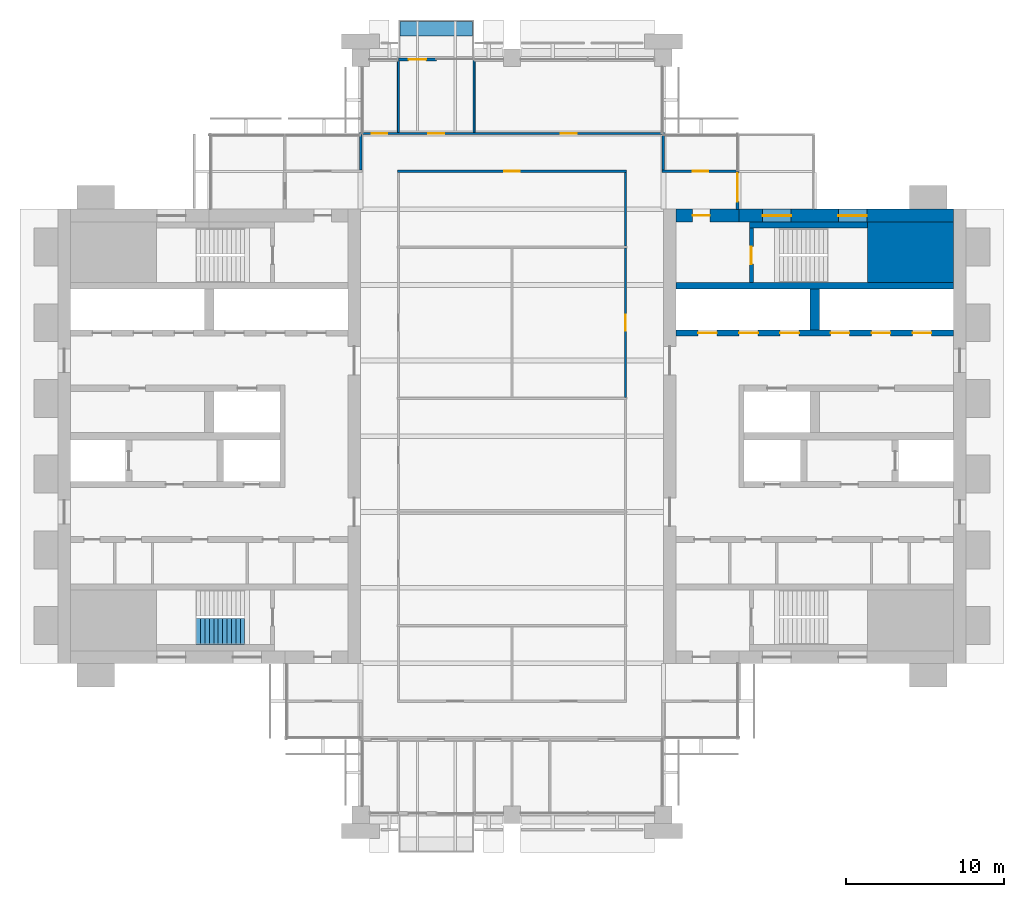
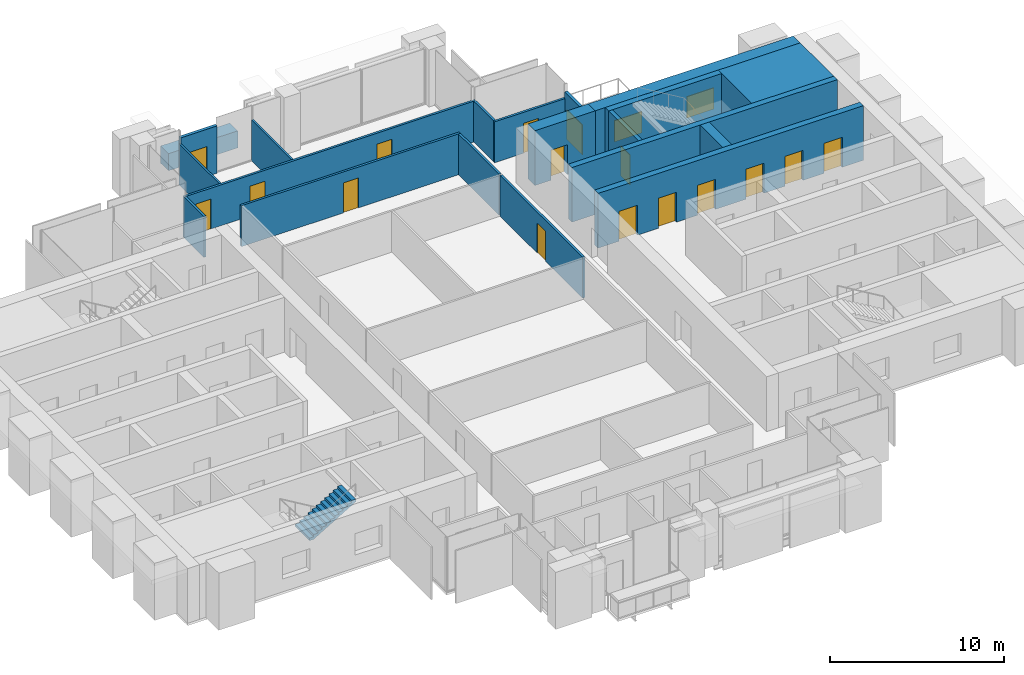
# One storey, part 11 of 14: 20 walls, 16 doors, 2 windows, 1 stair flight, 18 openings, 1 element without a shape of its own.
"""IFC4 building model written with IfcOpenShell, lengths in metres."""

from ifc_helpers import new_model, si_unit, direction, frame, frame_2d, origin, place, context, subcontext, project, spatial, polyline, rectangle, outline, extrude, material, layer, layer_set, type_object, element, fill, aggregate, save


model = new_model("IFC4")

# Units and contexts
model_context = context("Model", 3, precision=1e-05, world=origin(), true_north=direction((0.0, 1.0)))
body_context = subcontext(model_context, "Body", "Model", "MODEL_VIEW")
ifc_project = project(units=[si_unit("LENGTHUNIT", "METRE"), si_unit("AREAUNIT", "SQUARE_METRE"), si_unit("VOLUMEUNIT", "CUBIC_METRE"), si_unit("PLANEANGLEUNIT", "RADIAN"), si_unit("MASSUNIT", "GRAM", prefix="KILO")], contexts=[model_context])

# Site, building, storey
site_placement = place(None, origin())
site = spatial("IfcSite", under=ifc_project, at=site_placement, CompositionType="ELEMENT")
building_placement = place(site_placement, origin())
building = spatial("IfcBuilding", under=site, at=building_placement, Name="Baori Bourse Tower", CompositionType="ELEMENT")
storey_placement = place(building_placement, frame((0.0, 0.0, 257.199951171875)))
storey = spatial("IfcBuildingStorey", under=building, at=storey_placement, Name="L57", CompositionType="ELEMENT", Elevation=257.199951171875)

# Wall
ifc_material_1 = material(Name="Concrete f'c 50 MPa", Category="concrete")
wall_type_1 = type_object("IfcWallType", Name="Core corner block f'c 50", PredefinedType="SHEAR", material=ifc_material_1)
wall_1_placement = place(storey_placement, frame((51.35009765625, 35.675048828125, 0.0), z_axis=(0.0, 0.0, 1.0), x_axis=(1.0, 0.0, 0.0)))
element("IfcWall", 1, at=wall_1_placement, inside=storey, type_object=wall_type_1, Name="Core wall E24", PredefinedType="SHEAR", context=body_context, shape_type="SweptSolid", body=[
    extrude(rectangle(XDim=5.449951171875, YDim=3.85009765625, at=frame_2d((2.72509765625, 0.0))), origin(), (0.0, 0.0, 1.0), 3.840087890625),
])

# Wall, openings, windows
ifc_material_2 = material(Name="Concrete f'c 50 MPa", Category="concrete")
ifc_layer_1 = layer(ifc_material_2, 0.800048828125)
ifc_layer_set_1 = layer_set([ifc_layer_1], Name="Core wall 800 f'c 50")
wall_type_2 = type_object("IfcWallType", Name="Core wall 800 f'c 50", PredefinedType="SHEAR", material=ifc_layer_set_1)
wall_2_placement = place(storey_placement, frame((43.199951171875, 38.0, 0.0), z_axis=(0.0, 0.0, 1.0), x_axis=(1.0, 0.0, 0.0)))
wall_2 = element("IfcWall", 2, at=wall_2_placement, inside=storey, type_object=wall_type_2, Name="Core wall E27", PredefinedType="SHEAR", context=body_context, shape_type="SweptSolid", body=[
    extrude(rectangle(XDim=13.60009765625, YDim=0.800048828125, at=frame_2d((6.800048828125, 0.0))), origin(), (0.0, 0.0, 1.0), 3.840087890625),
])
opening_1_placement = place(wall_2_placement, frame((6.300048828125, 0.0, 0.89990234375)))
opening_1 = element("IfcOpeningElement", 3, at=opening_1_placement, cuts=wall_2, Name="Opening L57-KW205", PredefinedType="OPENING", context=body_context, shape_type="SweptSolid", body=[
    extrude(rectangle(XDim=1.800048828125, YDim=1.5, at=frame_2d((0.89990234375, 0.75))), frame((0.0, 0.409912109375, 0.0), z_axis=(0.0, -1.0, 0.0), x_axis=(1.0, 0.0, 0.0)), (0.0, 0.0, 1.0), 0.820068359375),
])
opening_2_placement = place(wall_2_placement, frame((1.5, 0.0, 0.89990234375)))
opening_2 = element("IfcOpeningElement", 4, at=opening_2_placement, cuts=wall_2, Name="Opening L57-KW206", PredefinedType="OPENING", context=body_context, shape_type="SweptSolid", body=[
    extrude(rectangle(XDim=1.800048828125, YDim=1.5, at=frame_2d((0.89990234375, 0.75))), frame((0.0, 0.409912109375, 0.0), z_axis=(0.0, -1.0, 0.0), x_axis=(1.0, 0.0, 0.0)), (0.0, 0.0, 1.0), 0.820068359375),
])
ifc_material_3 = material(Name="Pale anodised aluminium", Category="aluminium")
window_type = type_object("IfcWindowType", Name="Stair window 1800 x 1500", PartitioningType="SINGLE_PANEL", PredefinedType="WINDOW", material=ifc_material_3)
window_1_placement = place(opening_1_placement, origin())
window_1 = element("IfcWindow", 5, at=window_1_placement, inside=storey, type_object=window_type, Name="Stair window E L57 5", OverallHeight=1.5, OverallWidth=1.800048828125, PartitioningType="SINGLE_PANEL", PredefinedType="WINDOW", context=body_context, shape_type="SweptSolid", body=[
    extrude(rectangle(XDim=1.800048828125, YDim=1.5, at=frame_2d((0.89990234375, 0.75))), frame((0.0, 0.030029296875, 0.0), z_axis=(0.0, -1.0, 0.0), x_axis=(1.0, 0.0, 0.0)), (0.0, 0.0, 1.0), 0.06005859375),
])
fill(opening_1, window_1)
window_2_placement = place(opening_2_placement, origin())
window_2 = element("IfcWindow", 6, at=window_2_placement, inside=storey, type_object=window_type, Name="Stair window E L57 6", OverallHeight=1.5, OverallWidth=1.800048828125, PartitioningType="SINGLE_PANEL", PredefinedType="WINDOW", context=body_context, shape_type="SweptSolid", body=[
    extrude(rectangle(XDim=1.800048828125, YDim=1.5, at=frame_2d((0.89990234375, 0.75))), frame((0.0, 0.030029296875, 0.0), z_axis=(0.0, -1.0, 0.0), x_axis=(1.0, 0.0, 0.0)), (0.0, 0.0, 1.0), 0.06005859375),
])
fill(opening_2, window_2)

# Wall, opening, door
wall_3_placement = place(storey_placement, frame((39.199951171875, 38.0, 0.0), z_axis=(0.0, 0.0, 1.0), x_axis=(1.0, 0.0, 0.0)))
wall_3 = element("IfcWall", 7, at=wall_3_placement, inside=storey, type_object=wall_type_2, Name="Core wall E28", PredefinedType="SHEAR", context=body_context, shape_type="SweptSolid", body=[
    extrude(rectangle(XDim=4.0, YDim=0.800048828125, at=frame_2d((2.0, 0.0))), origin(), (0.0, 0.0, 1.0), 3.840087890625),
])
opening_3_placement = place(wall_3_placement, frame((1.050048828125, 0.0, 0.0)))
opening_3 = element("IfcOpeningElement", 8, at=opening_3_placement, cuts=wall_3, Name="Opening L57-D204", PredefinedType="OPENING", context=body_context, shape_type="SweptSolid", body=[
    extrude(rectangle(XDim=1.10009765625, YDim=2.10009765625, at=frame_2d((0.550048828125, 1.050048828125))), frame((0.0, 0.409912109375, 0.0), z_axis=(0.0, -1.0, 0.0), x_axis=(1.0, 0.0, 0.0)), (0.0, 0.0, 1.0), 0.820068359375),
])
ifc_material_4 = material(Name="Painted steel door", Category="steel")
door_type_1 = type_object("IfcDoorType", Name="Stair door 1100", OperationType="SINGLE_SWING_LEFT", PredefinedType="DOOR", material=ifc_material_4)
door_1_placement = place(opening_3_placement, origin())
door_1 = element("IfcDoor", 9, at=door_1_placement, inside=storey, type_object=door_type_1, Name="Stair vestibule door B E L57", OperationType="SINGLE_SWING_LEFT", OverallHeight=2.10009765625, OverallWidth=1.10009765625, PredefinedType="DOOR", context=body_context, shape_type="SweptSolid", body=[
    extrude(rectangle(XDim=1.10009765625, YDim=2.10009765625, at=frame_2d((0.550048828125, 1.050048828125))), frame((0.0, 0.02490234375, 0.0), z_axis=(0.0, -1.0, 0.0), x_axis=(1.0, 0.0, 0.0)), (0.0, 0.0, 1.0), 0.050048828125),
])
fill(opening_3, door_1)

ifc_material_5 = material(Name="Gypsum board partition")
ifc_layer_2 = layer(ifc_material_5, 0.14990234375)
ifc_layer_set_2 = layer_set([ifc_layer_2], Name="Corridor partition 150")
wall_type_3 = type_object("IfcWallType", Name="Corridor partition 150", PredefinedType="PARTITIONING", material=ifc_layer_set_2)
wall_4_placement = place(storey_placement, frame((21.52490234375, 40.800048828125, 0.0), z_axis=(0.0, 0.0, 1.0), x_axis=(1.0, 0.0, 0.0)))
wall_4 = element("IfcWall", 10, at=wall_4_placement, inside=storey, type_object=wall_type_3, Name="Partition", PredefinedType="PARTITIONING", context=body_context, shape_type="SweptSolid", body=[
    extrude(rectangle(XDim=14.550048828125, YDim=0.14990234375, at=frame_2d((7.27490234375, 0.0))), origin(), (0.0, 0.0, 1.0), 2.869873046875),
])
opening_4_placement = place(wall_4_placement, frame((6.77490234375, 0.0, 0.0)))
opening_4 = element("IfcOpeningElement", 11, at=opening_4_placement, cuts=wall_4, Name="Opening L57-D11", PredefinedType="OPENING", context=body_context, shape_type="SweptSolid", body=[
    extrude(rectangle(XDim=1.0, YDim=2.10009765625, at=frame_2d((0.5, 1.050048828125))), frame((0.0, 0.0849609375, 0.0), z_axis=(0.0, -1.0, 0.0), x_axis=(1.0, 0.0, 0.0)), (0.0, 0.0, 1.0), 0.169921875),
])
ifc_material_6 = material(Name="Timber door leaf", Category="wood")
door_type_2 = type_object("IfcDoorType", Name="Door 1000 x 2100", OperationType="SINGLE_SWING_LEFT", PredefinedType="DOOR", material=ifc_material_6)
door_2_placement = place(opening_4_placement, origin())
door_2 = element("IfcDoor", 12, at=door_2_placement, inside=storey, type_object=door_type_2, Name="Door", OperationType="SINGLE_SWING_LEFT", OverallHeight=2.10009765625, OverallWidth=1.0, PredefinedType="DOOR", context=body_context, shape_type="SweptSolid", body=[
    extrude(rectangle(XDim=1.0, YDim=2.10009765625, at=frame_2d((0.5, 1.050048828125))), frame((0.0, 0.02490234375, 0.0), z_axis=(0.0, -1.0, 0.0), x_axis=(1.0, 0.0, 0.0)), (0.0, 0.0, 1.0), 0.050048828125),
])
fill(opening_4, door_2)

wall_5_placement = place(storey_placement, frame((38.324951171875, 40.800048828125, 0.0), z_axis=(0.0, 0.0, 1.0), x_axis=(1.0, 0.0, 0.0)))
wall_5 = element("IfcWall", 13, at=wall_5_placement, inside=storey, type_object=wall_type_3, Name="Partition", PredefinedType="PARTITIONING", context=body_context, shape_type="SweptSolid", body=[
    extrude(rectangle(XDim=4.775146484375, YDim=0.14990234375, at=frame_2d((2.3876953125, 0.0))), origin(), (0.0, 0.0, 1.0), 2.869873046875),
])
opening_5_placement = place(wall_5_placement, frame((1.925048828125, 0.0, 0.0)))
opening_5 = element("IfcOpeningElement", 14, at=opening_5_placement, cuts=wall_5, Name="Opening L57-D12", PredefinedType="OPENING", context=body_context, shape_type="SweptSolid", body=[
    extrude(rectangle(XDim=1.0, YDim=2.10009765625, at=frame_2d((0.5, 1.050048828125))), frame((0.0, 0.0849609375, 0.0), z_axis=(0.0, -1.0, 0.0), x_axis=(1.0, 0.0, 0.0)), (0.0, 0.0, 1.0), 0.169921875),
])
door_3_placement = place(opening_5_placement, origin())
door_3 = element("IfcDoor", 15, at=door_3_placement, inside=storey, type_object=door_type_2, Name="Door", OperationType="SINGLE_SWING_LEFT", OverallHeight=2.10009765625, OverallWidth=1.0, PredefinedType="DOOR", context=body_context, shape_type="SweptSolid", body=[
    extrude(rectangle(XDim=1.0, YDim=2.10009765625, at=frame_2d((0.5, 1.050048828125))), frame((0.0, 0.02490234375, 0.0), z_axis=(0.0, -1.0, 0.0), x_axis=(1.0, 0.0, 0.0)), (0.0, 0.0, 1.0), 0.050048828125),
])
fill(opening_5, door_3)

# Wall, openings, doors
wall_6_placement = place(storey_placement, frame((19.125, 43.199951171875, 0.0), z_axis=(0.0, 0.0, 1.0), x_axis=(1.0, 0.0, 0.0)))
wall_6 = element("IfcWall", 16, at=wall_6_placement, inside=storey, type_object=wall_type_3, Name="Partition", PredefinedType="PARTITIONING", context=body_context, shape_type="SweptSolid", body=[
    extrude(rectangle(XDim=19.35009765625, YDim=0.14990234375, at=frame_2d((9.675048828125, 0.0))), origin(), (0.0, 0.0, 1.0), 2.869873046875),
])
opening_6_placement = place(wall_6_placement, frame((0.77490234375, 0.0, 0.0)))
opening_6 = element("IfcOpeningElement", 17, at=opening_6_placement, cuts=wall_6, Name="Opening L57-D13", PredefinedType="OPENING", context=body_context, shape_type="SweptSolid", body=[
    extrude(rectangle(XDim=1.0, YDim=2.10009765625, at=frame_2d((0.5, 1.050048828125))), frame((0.0, 0.0849609375, 0.0), z_axis=(0.0, -1.0, 0.0), x_axis=(1.0, 0.0, 0.0)), (0.0, 0.0, 1.0), 0.169921875),
])
opening_7_placement = place(wall_6_placement, frame((4.375, 0.0, 0.0)))
opening_7 = element("IfcOpeningElement", 18, at=opening_7_placement, cuts=wall_6, Name="Opening L57-D14", PredefinedType="OPENING", context=body_context, shape_type="SweptSolid", body=[
    extrude(rectangle(XDim=1.0, YDim=2.10009765625, at=frame_2d((0.5, 1.050048828125))), frame((0.0, 0.0849609375, 0.0), z_axis=(0.0, -1.0, 0.0), x_axis=(1.0, 0.0, 0.0)), (0.0, 0.0, 1.0), 0.169921875),
])
opening_8_placement = place(wall_6_placement, frame((12.77490234375, 0.0, 0.0)))
opening_8 = element("IfcOpeningElement", 19, at=opening_8_placement, cuts=wall_6, Name="Opening L57-D15", PredefinedType="OPENING", context=body_context, shape_type="SweptSolid", body=[
    extrude(rectangle(XDim=1.0, YDim=2.10009765625, at=frame_2d((0.5, 1.050048828125))), frame((0.0, 0.0849609375, 0.0), z_axis=(0.0, -1.0, 0.0), x_axis=(1.0, 0.0, 0.0)), (0.0, 0.0, 1.0), 0.169921875),
])
door_4_placement = place(opening_6_placement, origin())
door_4 = element("IfcDoor", 20, at=door_4_placement, inside=storey, type_object=door_type_2, Name="Door", OperationType="SINGLE_SWING_RIGHT", OverallHeight=2.10009765625, OverallWidth=1.0, PredefinedType="DOOR", context=body_context, shape_type="SweptSolid", body=[
    extrude(rectangle(XDim=1.0, YDim=2.10009765625, at=frame_2d((0.5, 1.050048828125))), frame((0.0, 0.02490234375, 0.0), z_axis=(0.0, -1.0, 0.0), x_axis=(1.0, 0.0, 0.0)), (0.0, 0.0, 1.0), 0.050048828125),
])
fill(opening_6, door_4)
door_5_placement = place(opening_7_placement, origin())
door_5 = element("IfcDoor", 21, at=door_5_placement, inside=storey, type_object=door_type_2, Name="Door", OperationType="SINGLE_SWING_RIGHT", OverallHeight=2.10009765625, OverallWidth=1.0, PredefinedType="DOOR", context=body_context, shape_type="SweptSolid", body=[
    extrude(rectangle(XDim=1.0, YDim=2.10009765625, at=frame_2d((0.5, 1.050048828125))), frame((0.0, 0.02490234375, 0.0), z_axis=(0.0, -1.0, 0.0), x_axis=(1.0, 0.0, 0.0)), (0.0, 0.0, 1.0), 0.050048828125),
])
fill(opening_7, door_5)
door_6_placement = place(opening_8_placement, origin())
door_6 = element("IfcDoor", 22, at=door_6_placement, inside=storey, type_object=door_type_2, Name="Door", OperationType="SINGLE_SWING_LEFT", OverallHeight=2.10009765625, OverallWidth=1.0, PredefinedType="DOOR", context=body_context, shape_type="SweptSolid", body=[
    extrude(rectangle(XDim=1.0, YDim=2.10009765625, at=frame_2d((0.5, 1.050048828125))), frame((0.0, 0.02490234375, 0.0), z_axis=(0.0, -1.0, 0.0), x_axis=(1.0, 0.0, 0.0)), (0.0, 0.0, 1.0), 0.050048828125),
])
fill(opening_8, door_6)

# Wall
wall_7_placement = place(storey_placement, frame((19.199951171875, 40.875, 0.0), z_axis=(0.0, 0.0, 1.0), x_axis=(0.0, 1.0, 0.0)))
element("IfcWall", 23, at=wall_7_placement, inside=storey, type_object=wall_type_3, Name="Partition", PredefinedType="PARTITIONING", context=body_context, shape_type="SweptSolid", body=[
    extrude(rectangle(XDim=2.25, YDim=0.14990234375, at=frame_2d((1.125, 0.0))), origin(), (0.0, 0.0, 1.0), 2.869873046875),
])

# Wall, opening, door
wall_8_placement = place(storey_placement, frame((36.0, 26.46240234375, 0.0), z_axis=(0.0, 0.0, 1.0), x_axis=(0.0, 1.0, 0.0)))
wall_8 = element("IfcWall", 24, at=wall_8_placement, inside=storey, type_object=wall_type_3, Name="Partition", PredefinedType="PARTITIONING", context=body_context, shape_type="SweptSolid", body=[
    extrude(rectangle(XDim=9.47509765625, YDim=0.14990234375, at=frame_2d((4.737548828125, 0.0))), origin(), (0.0, 0.0, 1.0), 2.869873046875),
])
opening_9_placement = place(wall_8_placement, frame((4.237548828125, 0.0, 0.0)))
opening_9 = element("IfcOpeningElement", 25, at=opening_9_placement, cuts=wall_8, Name="Opening L57-D20", PredefinedType="OPENING", context=body_context, shape_type="SweptSolid", body=[
    extrude(rectangle(XDim=1.0, YDim=2.10009765625, at=frame_2d((0.5, 1.050048828125))), frame((0.0, 0.0849609375, 0.0), z_axis=(0.0, -1.0, 0.0), x_axis=(1.0, 0.0, 0.0)), (0.0, 0.0, 1.0), 0.169921875),
])
door_7_placement = place(opening_9_placement, origin())
door_7 = element("IfcDoor", 26, at=door_7_placement, inside=storey, type_object=door_type_2, Name="Door", OperationType="SINGLE_SWING_RIGHT", OverallHeight=2.10009765625, OverallWidth=1.0, PredefinedType="DOOR", context=body_context, shape_type="SweptSolid", body=[
    extrude(rectangle(XDim=1.0, YDim=2.10009765625, at=frame_2d((0.5, 1.050048828125))), frame((0.0, 0.02490234375, 0.0), z_axis=(0.0, -1.0, 0.0), x_axis=(1.0, 0.0, 0.0)), (0.0, 0.0, 1.0), 0.050048828125),
])
fill(opening_9, door_7)

# Walls
wall_9_placement = place(storey_placement, frame((36.0, 36.0625, 0.0), z_axis=(0.0, 0.0, 1.0), x_axis=(0.0, 1.0, 0.0)))
element("IfcWall", 27, at=wall_9_placement, inside=storey, type_object=wall_type_3, Name="Partition", PredefinedType="PARTITIONING", context=body_context, shape_type="SweptSolid", body=[
    extrude(rectangle(XDim=4.66259765625, YDim=0.14990234375, at=frame_2d((2.331298828125, 0.0))), origin(), (0.0, 0.0, 1.0), 2.869873046875),
])
wall_10_placement = place(storey_placement, frame((38.39990234375, 40.875, 0.0), z_axis=(0.0, 0.0, 1.0), x_axis=(0.0, 1.0, 0.0)))
element("IfcWall", 28, at=wall_10_placement, inside=storey, type_object=wall_type_3, Name="Partition", PredefinedType="PARTITIONING", context=body_context, shape_type="SweptSolid", body=[
    extrude(rectangle(XDim=2.25, YDim=0.14990234375, at=frame_2d((1.125, 0.0))), origin(), (0.0, 0.0, 1.0), 2.869873046875),
])

# Wall, opening, door
ifc_material_7 = material(Name="Pale anodised aluminium", Category="aluminium")
ifc_layer_3 = layer(ifc_material_7, 0.199951171875)
ifc_layer_set_3 = layer_set([ifc_layer_3], Name="EW1 External wall bay")
wall_type_4 = type_object("IfcWallType", Name="EW1 External wall bay", PredefinedType="SOLIDWALL", material=ifc_layer_set_3)
wall_11_placement = place(storey_placement, frame((43.10009765625, 38.385009765625, 0.0), z_axis=(0.0, 0.0, 1.0), x_axis=(0.0, 1.0, 0.0)))
wall_11 = element("IfcWall", 29, at=wall_11_placement, inside=storey, type_object=wall_type_4, Name="External wall bay L57 1", PredefinedType="SOLIDWALL", context=body_context, shape_type="SweptSolid", body=[
    extrude(rectangle(XDim=2.4150390625, YDim=0.199951171875, at=frame_2d((1.20751953125, 0.0))), origin(), (0.0, 0.0, 1.0), 3.29638671875),
])
opening_10_placement = place(wall_11_placement, frame((0.5, 0.0, 0.0)))
opening_10 = element("IfcOpeningElement", 30, at=opening_10_placement, cuts=wall_11, Name="Opening L57-D91", PredefinedType="OPENING", context=body_context, shape_type="SweptSolid", body=[
    extrude(rectangle(XDim=1.800048828125, YDim=2.10009765625, at=frame_2d((0.89990234375, 1.050048828125))), frame((0.0, 0.10986328125, 0.0), z_axis=(0.0, -1.0, 0.0), x_axis=(1.0, 0.0, 0.0)), (0.0, 0.0, 1.0), 0.219970703125),
])
ifc_material_8 = material(Name="Pale anodised aluminium", Category="aluminium")
door_type_3 = type_object("IfcDoorType", Name="TR2 Terrace door 1800", OperationType="DOUBLE_DOOR_SINGLE_SWING", PredefinedType="DOOR", material=ifc_material_8)
door_8_placement = place(opening_10_placement, origin())
door_8 = element("IfcDoor", 31, at=door_8_placement, inside=storey, type_object=door_type_3, Name="Terrace door L57 1", OperationType="SINGLE_SWING_LEFT", OverallHeight=2.10009765625, OverallWidth=1.800048828125, PredefinedType="DOOR", context=body_context, shape_type="SweptSolid", body=[
    extrude(rectangle(XDim=1.800048828125, YDim=2.10009765625, at=frame_2d((0.89990234375, 1.050048828125))), frame((0.0, 0.02490234375, 0.0), z_axis=(0.0, -1.0, 0.0), x_axis=(1.0, 0.0, 0.0)), (0.0, 0.0, 1.0), 0.050048828125),
])
fill(opening_10, door_8)

wall_12_placement = place(storey_placement, frame((24.0, 47.89990234375, 0.0), z_axis=(0.0, 0.0, 1.0), x_axis=(-1.0, 0.0, 0.0)))
wall_12 = element("IfcWall", 32, at=wall_12_placement, inside=storey, type_object=wall_type_4, Name="External wall bay L57 2", PredefinedType="SOLIDWALL", context=body_context, shape_type="SweptSolid", body=[
    extrude(rectangle(XDim=2.39990234375, YDim=0.199951171875, at=frame_2d((1.199951171875, 0.0))), origin(), (0.0, 0.0, 1.0), 3.314208984375),
])
opening_11_placement = place(wall_12_placement, frame((0.64990234375, 0.0, 0.0)))
opening_11 = element("IfcOpeningElement", 33, at=opening_11_placement, cuts=wall_12, Name="Opening L57-D92", PredefinedType="OPENING", context=body_context, shape_type="SweptSolid", body=[
    extrude(rectangle(XDim=1.10009765625, YDim=2.10009765625, at=frame_2d((0.550048828125, 1.050048828125))), frame((0.0, 0.10986328125, 0.0), z_axis=(0.0, -1.0, 0.0), x_axis=(1.0, 0.0, 0.0)), (0.0, 0.0, 1.0), 0.219970703125),
])
ifc_material_9 = material(Name="Pale anodised aluminium", Category="aluminium")
door_type_4 = type_object("IfcDoorType", Name="BL1 Balcony door", OperationType="SINGLE_SWING_LEFT", PredefinedType="DOOR", material=ifc_material_9)
door_9_placement = place(opening_11_placement, origin())
door_9 = element("IfcDoor", 34, at=door_9_placement, inside=storey, type_object=door_type_4, Name="Balcony door L57 2", OperationType="SINGLE_SWING_LEFT", OverallHeight=2.10009765625, OverallWidth=1.10009765625, PredefinedType="DOOR", context=body_context, shape_type="SweptSolid", body=[
    extrude(rectangle(XDim=1.10009765625, YDim=2.10009765625, at=frame_2d((0.550048828125, 1.050048828125))), frame((0.0, 0.02490234375, 0.0), z_axis=(0.0, -1.0, 0.0), x_axis=(1.0, 0.0, 0.0)), (0.0, 0.0, 1.0), 0.050048828125),
])
fill(opening_11, door_9)

# Walls
ifc_material_10 = material(Name="Concrete f'c 40 MPa", Category="concrete")
ifc_layer_4 = layer(ifc_material_10, 0.89990234375)
ifc_layer_set_4 = layer_set([ifc_layer_4], Name="PW1 Planter wall")
wall_type_5 = type_object("IfcWallType", Name="PW1 Planter wall", PredefinedType="USERDEFINED", material=ifc_layer_set_4)
wall_13_placement = place(storey_placement, frame((21.699951171875, 49.85009765625, 0.0), z_axis=(0.0, 0.0, 1.0), x_axis=(1.0, 0.0, 0.0)))
element("IfcWall", 35, at=wall_13_placement, inside=storey, type_object=wall_type_5, Name="Planter balcony N L57 2", ObjectType="PLANTER", PredefinedType="USERDEFINED", context=body_context, shape_type="SweptSolid", body=[
    extrude(rectangle(XDim=4.60009765625, YDim=0.89990234375, at=frame_2d((2.300048828125, 0.0))), origin(), (0.0, 0.0, 1.0), 1.199951171875),
])
ifc_material_11 = material(Name="Gypsum board partition")
ifc_layer_5 = layer(ifc_material_11, 0.125)
ifc_layer_set_5 = layer_set([ifc_layer_5], Name="Partition 125")
wall_type_6 = type_object("IfcWallType", Name="Partition 125", PredefinedType="PARTITIONING", material=ifc_layer_set_5)
for number, where, z_axis, x_axis, name in (
    (36, (21.60009765625, 43.27490234375, 0.0), (0.0, 0.0, 1.0), (0.0, 1.0, 0.0), "Partition"),
    (37, (26.39990234375, 43.27490234375, 0.0), (0.0, 0.0, 1.0), (0.0, 1.0, 0.0), "Partition"),
):
    element("IfcWall", number, at=place(storey_placement, frame(where, z_axis=z_axis, x_axis=x_axis)), inside=storey, type_object=wall_type_6, Name=name, PredefinedType="PARTITIONING", context=body_context, shape_type="SweptSolid", body=[
        extrude(rectangle(XDim=4.625, YDim=0.125, at=frame_2d((2.3125, 0.0))), origin(), (0.0, 0.0, 1.0), 2.869873046875),
    ])

# Wall, opening, door
ifc_material_12 = material(Name="Concrete f'c 50 MPa", Category="concrete")
ifc_layer_6 = layer(ifc_material_12, 0.25)
ifc_layer_set_6 = layer_set([ifc_layer_6], Name="Shaft wall 250 f'c 50")
wall_type_7 = type_object("IfcWallType", Name="Shaft wall 250 f'c 50", PredefinedType="SHEAR", material=ifc_layer_set_6)
wall_14_placement = place(storey_placement, frame((43.97509765625, 33.75, 0.0), z_axis=(0.0, 0.0, 1.0), x_axis=(0.0, 1.0, 0.0)))
wall_14 = element("IfcWall", 38, at=wall_14_placement, inside=storey, type_object=wall_type_7, Name="Core wall E25", PredefinedType="SHEAR", context=body_context, shape_type="SweptSolid", body=[
    extrude(rectangle(XDim=3.449951171875, YDim=0.25, at=frame_2d((1.72509765625, 0.0))), origin(), (0.0, 0.0, 1.0), 3.840087890625),
])
opening_12_placement = place(wall_14_placement, frame((1.175048828125, 0.0, 0.0)))
opening_12 = element("IfcOpeningElement", 39, at=opening_12_placement, cuts=wall_14, Name="Opening L57-D203", PredefinedType="OPENING", context=body_context, shape_type="SweptSolid", body=[
    extrude(rectangle(XDim=1.10009765625, YDim=2.10009765625, at=frame_2d((0.550048828125, 1.050048828125))), frame((0.0, 0.135009765625, 0.0), z_axis=(0.0, -1.0, 0.0), x_axis=(1.0, 0.0, 0.0)), (0.0, 0.0, 1.0), 0.27001953125),
])
door_10_placement = place(opening_12_placement, origin())
door_10 = element("IfcDoor", 40, at=door_10_placement, inside=storey, type_object=door_type_1, Name="Stair door B E L57", OperationType="SINGLE_SWING_LEFT", OverallHeight=2.10009765625, OverallWidth=1.10009765625, PredefinedType="DOOR", context=body_context, shape_type="SweptSolid", body=[
    extrude(rectangle(XDim=1.10009765625, YDim=2.10009765625, at=frame_2d((0.550048828125, 1.050048828125))), frame((0.0, 0.02490234375, 0.0), z_axis=(0.0, -1.0, 0.0), x_axis=(1.0, 0.0, 0.0)), (0.0, 0.0, 1.0), 0.050048828125),
])
fill(opening_12, door_10)

# Wall, openings, doors
ifc_material_13 = material(Name="Concrete f'c 50 MPa", Category="concrete")
ifc_layer_7 = layer(ifc_material_13, 0.39990234375)
ifc_layer_set_7 = layer_set([ifc_layer_7], Name="Shaft wall 400 f'c 50")
wall_type_8 = type_object("IfcWallType", Name="Shaft wall 400 f'c 50", PredefinedType="SHEAR", material=ifc_layer_set_7)
wall_15_placement = place(storey_placement, frame((39.199951171875, 30.550048828125, 0.0), z_axis=(0.0, 0.0, 1.0), x_axis=(1.0, 0.0, 0.0)))
wall_15 = element("IfcWall", 41, at=wall_15_placement, inside=storey, type_object=wall_type_8, Name="Core wall E21", PredefinedType="SHEAR", context=body_context, shape_type="SweptSolid", body=[
    extrude(rectangle(XDim=17.60009765625, YDim=0.39990234375, at=frame_2d((8.800048828125, 0.0))), origin(), (0.0, 0.0, 1.0), 3.840087890625),
])
opening_13_placement = place(wall_15_placement, frame((15.0, 0.0, 0.0)))
opening_13 = element("IfcOpeningElement", 42, at=opening_13_placement, cuts=wall_15, Name="Opening L57-D215", PredefinedType="OPENING", context=body_context, shape_type="SweptSolid", body=[
    extrude(rectangle(XDim=1.199951171875, YDim=2.10009765625, at=frame_2d((0.60009765625, 1.050048828125))), frame((0.0, 0.2099609375, 0.0), z_axis=(0.0, -1.0, 0.0), x_axis=(1.0, 0.0, 0.0)), (0.0, 0.0, 1.0), 0.419921875),
])
opening_14_placement = place(wall_15_placement, frame((12.39990234375, 0.0, 0.0)))
opening_14 = element("IfcOpeningElement", 43, at=opening_14_placement, cuts=wall_15, Name="Opening L57-D216", PredefinedType="OPENING", context=body_context, shape_type="SweptSolid", body=[
    extrude(rectangle(XDim=1.199951171875, YDim=2.10009765625, at=frame_2d((0.60009765625, 1.050048828125))), frame((0.0, 0.2099609375, 0.0), z_axis=(0.0, -1.0, 0.0), x_axis=(1.0, 0.0, 0.0)), (0.0, 0.0, 1.0), 0.419921875),
])
opening_15_placement = place(wall_15_placement, frame((9.800048828125, 0.0, 0.0)))
opening_15 = element("IfcOpeningElement", 44, at=opening_15_placement, cuts=wall_15, Name="Opening L57-D217", PredefinedType="OPENING", context=body_context, shape_type="SweptSolid", body=[
    extrude(rectangle(XDim=1.199951171875, YDim=2.10009765625, at=frame_2d((0.60009765625, 1.050048828125))), frame((0.0, 0.2099609375, 0.0), z_axis=(0.0, -1.0, 0.0), x_axis=(1.0, 0.0, 0.0)), (0.0, 0.0, 1.0), 0.419921875),
])
opening_16_placement = place(wall_15_placement, frame((6.60009765625, 0.0, 0.0)))
opening_16 = element("IfcOpeningElement", 45, at=opening_16_placement, cuts=wall_15, Name="Opening L57-D218", PredefinedType="OPENING", context=body_context, shape_type="SweptSolid", body=[
    extrude(rectangle(XDim=1.199951171875, YDim=2.10009765625, at=frame_2d((0.60009765625, 1.050048828125))), frame((0.0, 0.2099609375, 0.0), z_axis=(0.0, -1.0, 0.0), x_axis=(1.0, 0.0, 0.0)), (0.0, 0.0, 1.0), 0.419921875),
])
opening_17_placement = place(wall_15_placement, frame((4.0, 0.0, 0.0)))
opening_17 = element("IfcOpeningElement", 46, at=opening_17_placement, cuts=wall_15, Name="Opening L57-D219", PredefinedType="OPENING", context=body_context, shape_type="SweptSolid", body=[
    extrude(rectangle(XDim=1.199951171875, YDim=2.10009765625, at=frame_2d((0.60009765625, 1.050048828125))), frame((0.0, 0.2099609375, 0.0), z_axis=(0.0, -1.0, 0.0), x_axis=(1.0, 0.0, 0.0)), (0.0, 0.0, 1.0), 0.419921875),
])
opening_18_placement = place(wall_15_placement, frame((1.39990234375, 0.0, 0.0)))
opening_18 = element("IfcOpeningElement", 47, at=opening_18_placement, cuts=wall_15, Name="Opening L57-D220", PredefinedType="OPENING", context=body_context, shape_type="SweptSolid", body=[
    extrude(rectangle(XDim=1.199951171875, YDim=2.10009765625, at=frame_2d((0.60009765625, 1.050048828125))), frame((0.0, 0.2099609375, 0.0), z_axis=(0.0, -1.0, 0.0), x_axis=(1.0, 0.0, 0.0)), (0.0, 0.0, 1.0), 0.419921875),
])
ifc_material_14 = material(Name="Stainless steel door", Category="steel")
door_type_5 = type_object("IfcDoorType", Name="Lift landing door", OperationType="DOUBLE_DOOR_SLIDING", PredefinedType="DOOR", material=ifc_material_14)
door_11_placement = place(opening_13_placement, origin())
door_11 = element("IfcDoor", 48, at=door_11_placement, inside=storey, type_object=door_type_5, Name="Lift landing door HR1 E L57", OperationType="DOUBLE_DOOR_SLIDING", OverallHeight=2.10009765625, OverallWidth=1.199951171875, PredefinedType="DOOR", context=body_context, shape_type="SweptSolid", body=[
    extrude(rectangle(XDim=1.199951171875, YDim=2.10009765625, at=frame_2d((0.60009765625, 1.050048828125))), frame((0.0, 0.02490234375, 0.0), z_axis=(0.0, -1.0, 0.0), x_axis=(1.0, 0.0, 0.0)), (0.0, 0.0, 1.0), 0.050048828125),
])
fill(opening_13, door_11)
door_12_placement = place(opening_14_placement, origin())
door_12 = element("IfcDoor", 49, at=door_12_placement, inside=storey, type_object=door_type_5, Name="Lift landing door HR2 E L57", OperationType="DOUBLE_DOOR_SLIDING", OverallHeight=2.10009765625, OverallWidth=1.199951171875, PredefinedType="DOOR", context=body_context, shape_type="SweptSolid", body=[
    extrude(rectangle(XDim=1.199951171875, YDim=2.10009765625, at=frame_2d((0.60009765625, 1.050048828125))), frame((0.0, 0.02490234375, 0.0), z_axis=(0.0, -1.0, 0.0), x_axis=(1.0, 0.0, 0.0)), (0.0, 0.0, 1.0), 0.050048828125),
])
fill(opening_14, door_12)
door_13_placement = place(opening_15_placement, origin())
door_13 = element("IfcDoor", 50, at=door_13_placement, inside=storey, type_object=door_type_5, Name="Lift landing door HR3 E L57", OperationType="DOUBLE_DOOR_SLIDING", OverallHeight=2.10009765625, OverallWidth=1.199951171875, PredefinedType="DOOR", context=body_context, shape_type="SweptSolid", body=[
    extrude(rectangle(XDim=1.199951171875, YDim=2.10009765625, at=frame_2d((0.60009765625, 1.050048828125))), frame((0.0, 0.02490234375, 0.0), z_axis=(0.0, -1.0, 0.0), x_axis=(1.0, 0.0, 0.0)), (0.0, 0.0, 1.0), 0.050048828125),
])
fill(opening_15, door_13)
door_14_placement = place(opening_16_placement, origin())
door_14 = element("IfcDoor", 51, at=door_14_placement, inside=storey, type_object=door_type_5, Name="Lift landing door HR4 E L57", OperationType="DOUBLE_DOOR_SLIDING", OverallHeight=2.10009765625, OverallWidth=1.199951171875, PredefinedType="DOOR", context=body_context, shape_type="SweptSolid", body=[
    extrude(rectangle(XDim=1.199951171875, YDim=2.10009765625, at=frame_2d((0.60009765625, 1.050048828125))), frame((0.0, 0.02490234375, 0.0), z_axis=(0.0, -1.0, 0.0), x_axis=(1.0, 0.0, 0.0)), (0.0, 0.0, 1.0), 0.050048828125),
])
fill(opening_16, door_14)
door_15_placement = place(opening_17_placement, origin())
door_15 = element("IfcDoor", 52, at=door_15_placement, inside=storey, type_object=door_type_5, Name="Lift landing door HR5 E L57", OperationType="DOUBLE_DOOR_SLIDING", OverallHeight=2.10009765625, OverallWidth=1.199951171875, PredefinedType="DOOR", context=body_context, shape_type="SweptSolid", body=[
    extrude(rectangle(XDim=1.199951171875, YDim=2.10009765625, at=frame_2d((0.60009765625, 1.050048828125))), frame((0.0, 0.02490234375, 0.0), z_axis=(0.0, -1.0, 0.0), x_axis=(1.0, 0.0, 0.0)), (0.0, 0.0, 1.0), 0.050048828125),
])
fill(opening_17, door_15)
door_16_placement = place(opening_18_placement, origin())
door_16 = element("IfcDoor", 53, at=door_16_placement, inside=storey, type_object=door_type_5, Name="Lift landing door HR6 E L57", OperationType="DOUBLE_DOOR_SLIDING", OverallHeight=2.10009765625, OverallWidth=1.199951171875, PredefinedType="DOOR", context=body_context, shape_type="SweptSolid", body=[
    extrude(rectangle(XDim=1.199951171875, YDim=2.10009765625, at=frame_2d((0.60009765625, 1.050048828125))), frame((0.0, 0.02490234375, 0.0), z_axis=(0.0, -1.0, 0.0), x_axis=(1.0, 0.0, 0.0)), (0.0, 0.0, 1.0), 0.050048828125),
])
fill(opening_18, door_16)

# Walls
wall_16_placement = place(storey_placement, frame((39.199951171875, 33.550048828125, 0.0), z_axis=(0.0, 0.0, 1.0), x_axis=(1.0, 0.0, 0.0)))
element("IfcWall", 54, at=wall_16_placement, inside=storey, type_object=wall_type_8, Name="Core wall E23", PredefinedType="SHEAR", context=body_context, shape_type="SweptSolid", body=[
    extrude(rectangle(XDim=17.60009765625, YDim=0.39990234375, at=frame_2d((8.800048828125, 0.0))), origin(), (0.0, 0.0, 1.0), 3.840087890625),
])
wall_17_placement = place(storey_placement, frame((43.85009765625, 37.39990234375, 0.0), z_axis=(0.0, 0.0, 1.0), x_axis=(1.0, 0.0, 0.0)))
element("IfcWall", 55, at=wall_17_placement, inside=storey, type_object=wall_type_8, Name="Core wall E26", PredefinedType="SHEAR", context=body_context, shape_type="SweptSolid", body=[
    extrude(rectangle(XDim=7.5, YDim=0.39990234375, at=frame_2d((3.75, 0.0))), origin(), (0.0, 0.0, 1.0), 3.840087890625),
])
ifc_material_15 = material(Name="Concrete f'c 50 MPa", Category="concrete")
ifc_layer_8 = layer(ifc_material_15, 0.60009765625)
ifc_layer_set_8 = layer_set([ifc_layer_8], Name="Shaft wall 600 f'c 50")
wall_type_9 = type_object("IfcWallType", Name="Shaft wall 600 f'c 50", PredefinedType="SHEAR", material=ifc_layer_set_8)
wall_18_placement = place(storey_placement, frame((48.0, 30.75, 0.0), z_axis=(0.0, 0.0, 1.0), x_axis=(0.0, 1.0, 0.0)))
element("IfcWall", 56, at=wall_18_placement, inside=storey, type_object=wall_type_9, Name="Core wall E22", PredefinedType="SHEAR", context=body_context, shape_type="SweptSolid", body=[
    extrude(rectangle(XDim=2.60009765625, YDim=0.60009765625, at=frame_2d((1.300048828125, 0.0))), origin(), (0.0, 0.0, 1.0), 3.840087890625),
])

# Stair, stair flight
ifc_material_16 = material(Name="Concrete f'c 50 MPa", Category="concrete")
stair_type = type_object("IfcStairType", Name="Core stair", PredefinedType="HALF_TURN_STAIR", material=ifc_material_16)
stair_placement = place(storey_placement, origin())
stair = element("IfcStair", 57, at=stair_placement, inside=storey, type_object=stair_type, Name="L57 Stair WA", PredefinedType="HALF_TURN_STAIR")
ifc_material_17 = material(Name="Concrete f'c 50 MPa", Category="concrete")
stair_flight_type = type_object("IfcStairFlightType", Name="Core stair flight", PredefinedType="STRAIGHT", material=ifc_material_17)
stair_flight_placement = place(storey_placement, frame((8.77001953125, 11.625, 2.0), z_axis=(0.0, 0.0, 1.0), x_axis=(1.0, 0.0, 0.0)))
stair_flight = element("IfcStairFlight", 58, at=stair_flight_placement, type_object=stair_flight_type, Name="ST1 flight 2", NumberOfRisers=12, NumberOfTreads=11, PredefinedType="STRAIGHT", RiserHeight=0.166666667, TreadLength=0.28, context=body_context, shape_type="SweptSolid", body=[
    extrude(outline(polyline([(0.0, 0.0), (0.0, 0.166748046875), (0.280029296875, 0.166748046875), (0.280029296875, 0.333251953125), (0.56005859375, 0.333251953125), (0.56005859375, 0.5), (0.840087890625, 0.5), (0.840087890625, 0.666748046875), (1.1201171875, 0.666748046875), (1.1201171875, 0.833251953125), (1.39990234375, 0.833251953125), (1.39990234375, 1.0), (1.679931640625, 1.0), (1.679931640625, 1.166748046875), (1.9599609375, 1.166748046875), (1.9599609375, 1.333251953125), (2.239990234375, 1.333251953125), (2.239990234375, 1.5), (2.52001953125, 1.5), (2.52001953125, 1.666748046875), (2.800048828125, 1.666748046875), (2.800048828125, 1.833251953125), (3.080078125, 1.833251953125), (3.080078125, 2.0), (3.080078125, 1.658935546875), (0.29296875, 0.0), (0.0, 0.0)])), frame((0.0, 0.824951171875, 0.0), z_axis=(0.0, -1.0, 0.0), x_axis=(1.0, 0.0, 0.0)), (0.0, 0.0, 1.0), 1.64990234375),
])
aggregate(stair, [stair_flight])

save(model, "model.ifc")
